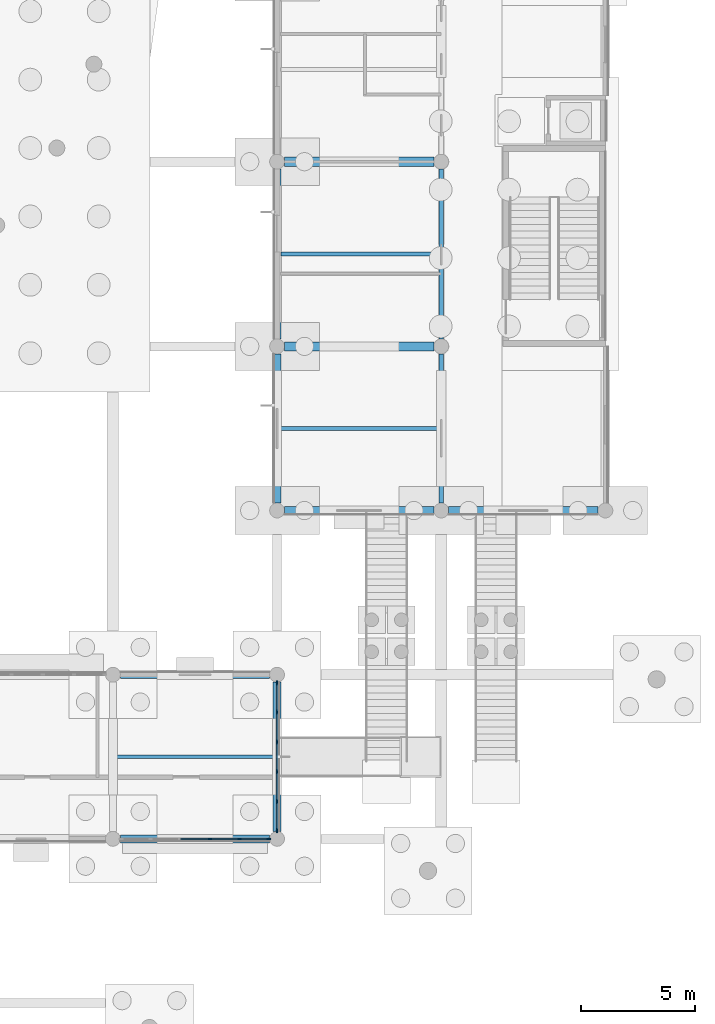
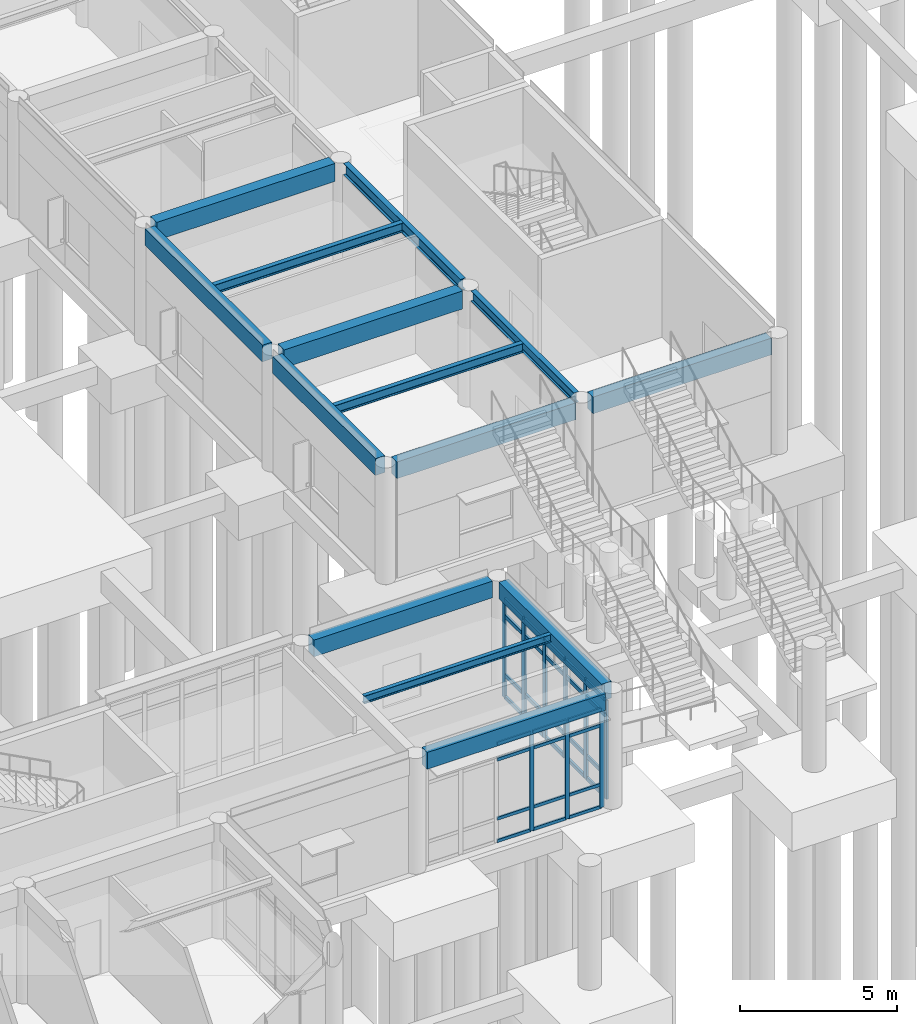
# One storey, part 36 of 103: 41 members, 14 beams, 2 elements without a shape of their own.
"""IFC4 building model written with IfcOpenShell, lengths in metres."""

from ifc_helpers import new_model, si_unit, direction, frame, origin, origin_2d, place, context, subcontext, project, spatial, rectangle, i_section, extrude, material, layer, layer_set, material_profile, profile_set, type_object, element, aggregate, save


model = new_model("IFC4")

# Units and contexts
model_context = context("Model", 3, precision=1e-05, world=origin(), true_north=direction((0.0, 1.0)))
body_context = subcontext(model_context, "Body", "Model", "MODEL_VIEW")
ifc_project = project(units=[si_unit("LENGTHUNIT", "METRE"), si_unit("AREAUNIT", "SQUARE_METRE"), si_unit("VOLUMEUNIT", "CUBIC_METRE"), si_unit("PLANEANGLEUNIT", "RADIAN"), si_unit("MASSUNIT", "GRAM", prefix="KILO")], contexts=[model_context])

# Site, building, storey
site_placement = place(None, origin())
site = spatial("IfcSite", under=ifc_project, at=site_placement, CompositionType="ELEMENT")
building_placement = place(site_placement, origin())
building = spatial("IfcBuilding", under=site, at=building_placement, Name="Namkhue Oval Health Centre", CompositionType="ELEMENT")
storey_placement = place(building_placement, origin())
storey = spatial("IfcBuildingStorey", under=building, at=storey_placement, Name="L00", CompositionType="ELEMENT", Elevation=0.0)

# Curtain wall, members
ifc_material_1 = material(Name="Anodised aluminium EN AW-6063 T6", Category="aluminium")
ifc_layer_1 = layer(ifc_material_1, 0.159912109375)
ifc_layer_set_1 = layer_set([ifc_layer_1], Name="Anodised aluminium EN AW-6063 T6")
curtain_wall_type_1 = type_object("IfcCurtainWallType", Name="UNITISED CURTAIN WALL M1200", PredefinedType="NOTDEFINED", material=ifc_layer_set_1)
curtain_wall_1_placement = place(storey_placement, origin())
curtain_wall_1 = element("IfcCurtainWall", 1, at=curtain_wall_1_placement, inside=storey, type_object=curtain_wall_type_1, Name="Volume V5 L00 Unitised Curtain Wall 181", PredefinedType="NOTDEFINED")
ifc_material_profile_1 = material_profile(ifc_material_1, rectangle(XDim=0.06494140625, YDim=0.159912109375, at=origin_2d()), Name="ALU 65x160")
ifc_profile_set_1 = profile_set([ifc_material_profile_1], Name="Anodised aluminium EN AW-6063 T6")
member_type_1 = type_object("IfcMemberType", Name="CURTAIN WALL MULLION 65X160", PredefinedType="MULLION", material=ifc_profile_set_1)
member_1_placement = place(storey_placement, frame((133.85302734375, 21.60009765625, 0.0), z_axis=(0.0, 0.0, 1.0), x_axis=(0.0, 1.0, 0.0)))
member_1 = element("IfcMember", 2, at=member_1_placement, type_object=member_type_1, Name="CW-01 mullion 4", PredefinedType="MULLION", context=body_context, shape_type="SweptSolid", body=[
    extrude(rectangle(XDim=0.06494140625, YDim=0.159912109375, at=origin_2d()), origin(), (0.0, 0.0, 1.0), 3.844970703125),
])
member_2_placement = place(storey_placement, frame((135.158935546875, 21.60009765625, 0.0), z_axis=(0.0, 0.0, 1.0), x_axis=(0.0, 1.0, 0.0)))
member_2 = element("IfcMember", 3, at=member_2_placement, type_object=member_type_1, Name="CW-01 mullion 5", PredefinedType="MULLION", context=body_context, shape_type="SweptSolid", body=[
    extrude(rectangle(XDim=0.06494140625, YDim=0.159912109375, at=origin_2d()), origin(), (0.0, 0.0, 1.0), 3.844970703125),
])
member_3_placement = place(storey_placement, frame((136.4326171875, 21.60009765625, 0.0), z_axis=(0.0, 0.0, 1.0), x_axis=(0.0, 1.0, 0.0)))
member_3 = element("IfcMember", 4, at=member_3_placement, type_object=member_type_1, Name="CW-01 mullion 6", PredefinedType="MULLION", context=body_context, shape_type="SweptSolid", body=[
    extrude(rectangle(XDim=0.06494140625, YDim=0.159912109375, at=origin_2d()), origin(), (0.0, 0.0, 1.0), 3.844970703125),
])

ifc_layer_2 = layer(ifc_material_1, 0.159912109375)
ifc_layer_set_2 = layer_set([ifc_layer_2], Name="Anodised aluminium EN AW-6063 T6")
curtain_wall_type_2 = type_object("IfcCurtainWallType", Name="UNITISED CURTAIN WALL M1350", PredefinedType="NOTDEFINED", material=ifc_layer_set_2)
curtain_wall_2_placement = place(storey_placement, origin())
curtain_wall_2 = element("IfcCurtainWall", 5, at=curtain_wall_2_placement, inside=storey, type_object=curtain_wall_type_2, Name="Volume V5 L00 Unitised Curtain Wall 182", PredefinedType="NOTDEFINED")
ifc_material_profile_2 = material_profile(ifc_material_1, rectangle(XDim=0.074951171875, YDim=0.199951171875, at=origin_2d()), Name="ALU 75x200")
ifc_profile_set_2 = profile_set([ifc_material_profile_2], Name="Anodised aluminium EN AW-6063 T6")
member_type_2 = type_object("IfcMemberType", Name="CURTAIN WALL MULLION 75X200", PredefinedType="MULLION", material=ifc_profile_set_2)
member_4_placement = place(storey_placement, frame((136.800048828125, 21.972412109375, 0.0), z_axis=(0.0, 0.0, 1.0), x_axis=(-1.0, 0.0, 0.0)))
member_4 = element("IfcMember", 6, at=member_4_placement, type_object=member_type_2, Name="CW-02 mullion 1", PredefinedType="MULLION", context=body_context, shape_type="SweptSolid", body=[
    extrude(rectangle(XDim=0.074951171875, YDim=0.199951171875, at=origin_2d()), origin(), (0.0, 0.0, 1.0), 3.844970703125),
])
member_5_placement = place(storey_placement, frame((136.800048828125, 23.240966796875, 0.0), z_axis=(0.0, 0.0, 1.0), x_axis=(-1.0, 0.0, 0.0)))
member_5 = element("IfcMember", 7, at=member_5_placement, type_object=member_type_2, Name="CW-02 mullion 2", PredefinedType="MULLION", context=body_context, shape_type="SweptSolid", body=[
    extrude(rectangle(XDim=0.074951171875, YDim=0.199951171875, at=origin_2d()), origin(), (0.0, 0.0, 1.0), 3.844970703125),
])
member_6_placement = place(storey_placement, frame((136.800048828125, 24.547119140625, 0.0), z_axis=(0.0, 0.0, 1.0), x_axis=(-1.0, 0.0, 0.0)))
member_6 = element("IfcMember", 8, at=member_6_placement, type_object=member_type_2, Name="CW-02 mullion 3", PredefinedType="MULLION", context=body_context, shape_type="SweptSolid", body=[
    extrude(rectangle(XDim=0.074951171875, YDim=0.199951171875, at=origin_2d()), origin(), (0.0, 0.0, 1.0), 3.844970703125),
])
member_7_placement = place(storey_placement, frame((136.800048828125, 25.85302734375, 0.0), z_axis=(0.0, 0.0, 1.0), x_axis=(-1.0, 0.0, 0.0)))
member_7 = element("IfcMember", 9, at=member_7_placement, type_object=member_type_2, Name="CW-02 mullion 4", PredefinedType="MULLION", context=body_context, shape_type="SweptSolid", body=[
    extrude(rectangle(XDim=0.074951171875, YDim=0.199951171875, at=origin_2d()), origin(), (0.0, 0.0, 1.0), 3.844970703125),
])
member_8_placement = place(storey_placement, frame((136.800048828125, 27.158935546875, 0.0), z_axis=(0.0, 0.0, 1.0), x_axis=(-1.0, 0.0, 0.0)))
member_8 = element("IfcMember", 10, at=member_8_placement, type_object=member_type_2, Name="CW-02 mullion 5", PredefinedType="MULLION", context=body_context, shape_type="SweptSolid", body=[
    extrude(rectangle(XDim=0.074951171875, YDim=0.199951171875, at=origin_2d()), origin(), (0.0, 0.0, 1.0), 3.844970703125),
])
member_9_placement = place(storey_placement, frame((136.800048828125, 28.427490234375, 0.0), z_axis=(0.0, 0.0, 1.0), x_axis=(-1.0, 0.0, 0.0)))
member_9 = element("IfcMember", 11, at=member_9_placement, type_object=member_type_2, Name="CW-02 mullion 6", PredefinedType="MULLION", context=body_context, shape_type="SweptSolid", body=[
    extrude(rectangle(XDim=0.074951171875, YDim=0.199951171875, at=origin_2d()), origin(), (0.0, 0.0, 1.0), 3.844970703125),
])

# Member
ifc_material_profile_3 = material_profile(ifc_material_1, rectangle(XDim=0.06494140625, YDim=0.1201171875, at=origin_2d()), Name="ALU 65x120")
ifc_profile_set_3 = profile_set([ifc_material_profile_3], Name="Anodised aluminium EN AW-6063 T6")
member_type_3 = type_object("IfcMemberType", Name="CURTAIN WALL TRANSOM 65X120", PredefinedType="USERDEFINED", material=ifc_profile_set_3)
member_10_placement = place(storey_placement, frame((132.57958984375, 21.60009765625, 0.032470703125), z_axis=(1.0, 0.0, 0.0), x_axis=(0.0, 1.0, 0.0)))
member_10 = element("IfcMember", 12, at=member_10_placement, type_object=member_type_3, Name="CW-01 transom 3.1", ObjectType="TRANSOM", PredefinedType="USERDEFINED", context=body_context, shape_type="SweptSolid", body=[
    extrude(rectangle(XDim=0.06494140625, YDim=0.1201171875, at=origin_2d()), origin(), (0.0, 0.0, 1.0), 1.240966796875),
])

member_11_placement = place(storey_placement, frame((132.57958984375, 21.60009765625, 0.89990234375), z_axis=(1.0, 0.0, 0.0), x_axis=(0.0, 1.0, 0.0)))
member_11 = element("IfcMember", 13, at=member_11_placement, type_object=member_type_3, Name="CW-01 transom 3.2", ObjectType="TRANSOM", PredefinedType="USERDEFINED", context=body_context, shape_type="SweptSolid", body=[
    extrude(rectangle(XDim=0.06494140625, YDim=0.1201171875, at=origin_2d()), origin(), (0.0, 0.0, 1.0), 1.240966796875),
])

member_12_placement = place(storey_placement, frame((132.57958984375, 21.60009765625, 3.195068359375), z_axis=(1.0, 0.0, 0.0), x_axis=(0.0, 1.0, 0.0)))
member_12 = element("IfcMember", 14, at=member_12_placement, type_object=member_type_3, Name="CW-01 transom 3.3", ObjectType="TRANSOM", PredefinedType="USERDEFINED", context=body_context, shape_type="SweptSolid", body=[
    extrude(rectangle(XDim=0.06494140625, YDim=0.1201171875, at=origin_2d()), origin(), (0.0, 0.0, 1.0), 1.240966796875),
])

member_13_placement = place(storey_placement, frame((132.57958984375, 21.60009765625, 3.8125), z_axis=(1.0, 0.0, 0.0), x_axis=(0.0, 1.0, 0.0)))
member_13 = element("IfcMember", 15, at=member_13_placement, type_object=member_type_3, Name="CW-01 transom 3.4", ObjectType="TRANSOM", PredefinedType="USERDEFINED", context=body_context, shape_type="SweptSolid", body=[
    extrude(rectangle(XDim=0.06494140625, YDim=0.1201171875, at=origin_2d()), origin(), (0.0, 0.0, 1.0), 1.240966796875),
])

member_14_placement = place(storey_placement, frame((133.885498046875, 21.60009765625, 0.032470703125), z_axis=(1.0, 0.0, 0.0), x_axis=(0.0, 1.0, 0.0)))
member_14 = element("IfcMember", 16, at=member_14_placement, type_object=member_type_3, Name="CW-01 transom 4.1", ObjectType="TRANSOM", PredefinedType="USERDEFINED", context=body_context, shape_type="SweptSolid", body=[
    extrude(rectangle(XDim=0.06494140625, YDim=0.1201171875, at=origin_2d()), origin(), (0.0, 0.0, 1.0), 1.240966796875),
])

member_15_placement = place(storey_placement, frame((133.885498046875, 21.60009765625, 0.89990234375), z_axis=(1.0, 0.0, 0.0), x_axis=(0.0, 1.0, 0.0)))
member_15 = element("IfcMember", 17, at=member_15_placement, type_object=member_type_3, Name="CW-01 transom 4.2", ObjectType="TRANSOM", PredefinedType="USERDEFINED", context=body_context, shape_type="SweptSolid", body=[
    extrude(rectangle(XDim=0.06494140625, YDim=0.1201171875, at=origin_2d()), origin(), (0.0, 0.0, 1.0), 1.240966796875),
])

member_16_placement = place(storey_placement, frame((133.885498046875, 21.60009765625, 3.195068359375), z_axis=(1.0, 0.0, 0.0), x_axis=(0.0, 1.0, 0.0)))
member_16 = element("IfcMember", 18, at=member_16_placement, type_object=member_type_3, Name="CW-01 transom 4.3", ObjectType="TRANSOM", PredefinedType="USERDEFINED", context=body_context, shape_type="SweptSolid", body=[
    extrude(rectangle(XDim=0.06494140625, YDim=0.1201171875, at=origin_2d()), origin(), (0.0, 0.0, 1.0), 1.240966796875),
])

member_17_placement = place(storey_placement, frame((133.885498046875, 21.60009765625, 3.8125), z_axis=(1.0, 0.0, 0.0), x_axis=(0.0, 1.0, 0.0)))
member_17 = element("IfcMember", 19, at=member_17_placement, type_object=member_type_3, Name="CW-01 transom 4.4", ObjectType="TRANSOM", PredefinedType="USERDEFINED", context=body_context, shape_type="SweptSolid", body=[
    extrude(rectangle(XDim=0.06494140625, YDim=0.1201171875, at=origin_2d()), origin(), (0.0, 0.0, 1.0), 1.240966796875),
])

member_18_placement = place(storey_placement, frame((135.19140625, 21.60009765625, 0.032470703125), z_axis=(1.0, 0.0, 0.0), x_axis=(0.0, 1.0, 0.0)))
member_18 = element("IfcMember", 20, at=member_18_placement, type_object=member_type_3, Name="CW-01 transom 5.1", ObjectType="TRANSOM", PredefinedType="USERDEFINED", context=body_context, shape_type="SweptSolid", body=[
    extrude(rectangle(XDim=0.06494140625, YDim=0.1201171875, at=origin_2d()), origin(), (0.0, 0.0, 1.0), 1.20849609375),
])

member_19_placement = place(storey_placement, frame((135.19140625, 21.60009765625, 0.89990234375), z_axis=(1.0, 0.0, 0.0), x_axis=(0.0, 1.0, 0.0)))
member_19 = element("IfcMember", 21, at=member_19_placement, type_object=member_type_3, Name="CW-01 transom 5.2", ObjectType="TRANSOM", PredefinedType="USERDEFINED", context=body_context, shape_type="SweptSolid", body=[
    extrude(rectangle(XDim=0.06494140625, YDim=0.1201171875, at=origin_2d()), origin(), (0.0, 0.0, 1.0), 1.20849609375),
])

member_20_placement = place(storey_placement, frame((135.19140625, 21.60009765625, 3.195068359375), z_axis=(1.0, 0.0, 0.0), x_axis=(0.0, 1.0, 0.0)))
member_20 = element("IfcMember", 22, at=member_20_placement, type_object=member_type_3, Name="CW-01 transom 5.3", ObjectType="TRANSOM", PredefinedType="USERDEFINED", context=body_context, shape_type="SweptSolid", body=[
    extrude(rectangle(XDim=0.06494140625, YDim=0.1201171875, at=origin_2d()), origin(), (0.0, 0.0, 1.0), 1.20849609375),
])

member_21_placement = place(storey_placement, frame((135.19140625, 21.60009765625, 3.8125), z_axis=(1.0, 0.0, 0.0), x_axis=(0.0, 1.0, 0.0)))
member_21 = element("IfcMember", 23, at=member_21_placement, type_object=member_type_3, Name="CW-01 transom 5.4", ObjectType="TRANSOM", PredefinedType="USERDEFINED", context=body_context, shape_type="SweptSolid", body=[
    extrude(rectangle(XDim=0.06494140625, YDim=0.1201171875, at=origin_2d()), origin(), (0.0, 0.0, 1.0), 1.20849609375),
])

aggregate(curtain_wall_1, [member_1, member_2, member_3, member_10, member_11, member_12, member_13, member_14, member_15, member_16, member_17, member_18, member_19, member_20, member_21])

ifc_material_profile_4 = material_profile(ifc_material_1, rectangle(XDim=0.074951171875, YDim=0.14990234375, at=origin_2d()), Name="ALU 75x150")
ifc_profile_set_4 = profile_set([ifc_material_profile_4], Name="Anodised aluminium EN AW-6063 T6")
member_type_4 = type_object("IfcMemberType", Name="CURTAIN WALL TRANSOM 75X150", PredefinedType="USERDEFINED", material=ifc_profile_set_4)
member_22_placement = place(storey_placement, frame((136.800048828125, 22.010009765625, 0.03759765625), z_axis=(0.0, 1.0, 0.0), x_axis=(-1.0, 0.0, 0.0)))
member_22 = element("IfcMember", 24, at=member_22_placement, type_object=member_type_4, Name="CW-02 transom 1.1", ObjectType="TRANSOM", PredefinedType="USERDEFINED", context=body_context, shape_type="SweptSolid", body=[
    extrude(rectangle(XDim=0.074951171875, YDim=0.14990234375, at=origin_2d()), origin(), (0.0, 0.0, 1.0), 1.193603515625),
])

member_23_placement = place(storey_placement, frame((136.800048828125, 22.010009765625, 0.89990234375), z_axis=(0.0, 1.0, 0.0), x_axis=(-1.0, 0.0, 0.0)))
member_23 = element("IfcMember", 25, at=member_23_placement, type_object=member_type_4, Name="CW-02 transom 1.2", ObjectType="TRANSOM", PredefinedType="USERDEFINED", context=body_context, shape_type="SweptSolid", body=[
    extrude(rectangle(XDim=0.074951171875, YDim=0.14990234375, at=origin_2d()), origin(), (0.0, 0.0, 1.0), 1.193603515625),
])

member_24_placement = place(storey_placement, frame((136.800048828125, 22.010009765625, 3.195068359375), z_axis=(0.0, 1.0, 0.0), x_axis=(-1.0, 0.0, 0.0)))
member_24 = element("IfcMember", 26, at=member_24_placement, type_object=member_type_4, Name="CW-02 transom 1.3", ObjectType="TRANSOM", PredefinedType="USERDEFINED", context=body_context, shape_type="SweptSolid", body=[
    extrude(rectangle(XDim=0.074951171875, YDim=0.14990234375, at=origin_2d()), origin(), (0.0, 0.0, 1.0), 1.193603515625),
])

member_25_placement = place(storey_placement, frame((136.800048828125, 22.010009765625, 3.8076171875), z_axis=(0.0, 1.0, 0.0), x_axis=(-1.0, 0.0, 0.0)))
member_25 = element("IfcMember", 27, at=member_25_placement, type_object=member_type_4, Name="CW-02 transom 1.4", ObjectType="TRANSOM", PredefinedType="USERDEFINED", context=body_context, shape_type="SweptSolid", body=[
    extrude(rectangle(XDim=0.074951171875, YDim=0.14990234375, at=origin_2d()), origin(), (0.0, 0.0, 1.0), 1.193603515625),
])

member_26_placement = place(storey_placement, frame((136.800048828125, 23.278564453125, 0.03759765625), z_axis=(0.0, 1.0, 0.0), x_axis=(-1.0, 0.0, 0.0)))
member_26 = element("IfcMember", 28, at=member_26_placement, type_object=member_type_4, Name="CW-02 transom 2.1", ObjectType="TRANSOM", PredefinedType="USERDEFINED", context=body_context, shape_type="SweptSolid", body=[
    extrude(rectangle(XDim=0.074951171875, YDim=0.14990234375, at=origin_2d()), origin(), (0.0, 0.0, 1.0), 1.23095703125),
])

member_27_placement = place(storey_placement, frame((136.800048828125, 23.278564453125, 0.89990234375), z_axis=(0.0, 1.0, 0.0), x_axis=(-1.0, 0.0, 0.0)))
member_27 = element("IfcMember", 29, at=member_27_placement, type_object=member_type_4, Name="CW-02 transom 2.2", ObjectType="TRANSOM", PredefinedType="USERDEFINED", context=body_context, shape_type="SweptSolid", body=[
    extrude(rectangle(XDim=0.074951171875, YDim=0.14990234375, at=origin_2d()), origin(), (0.0, 0.0, 1.0), 1.23095703125),
])

member_28_placement = place(storey_placement, frame((136.800048828125, 23.278564453125, 3.195068359375), z_axis=(0.0, 1.0, 0.0), x_axis=(-1.0, 0.0, 0.0)))
member_28 = element("IfcMember", 30, at=member_28_placement, type_object=member_type_4, Name="CW-02 transom 2.3", ObjectType="TRANSOM", PredefinedType="USERDEFINED", context=body_context, shape_type="SweptSolid", body=[
    extrude(rectangle(XDim=0.074951171875, YDim=0.14990234375, at=origin_2d()), origin(), (0.0, 0.0, 1.0), 1.23095703125),
])

member_29_placement = place(storey_placement, frame((136.800048828125, 23.278564453125, 3.8076171875), z_axis=(0.0, 1.0, 0.0), x_axis=(-1.0, 0.0, 0.0)))
member_29 = element("IfcMember", 31, at=member_29_placement, type_object=member_type_4, Name="CW-02 transom 2.4", ObjectType="TRANSOM", PredefinedType="USERDEFINED", context=body_context, shape_type="SweptSolid", body=[
    extrude(rectangle(XDim=0.074951171875, YDim=0.14990234375, at=origin_2d()), origin(), (0.0, 0.0, 1.0), 1.23095703125),
])

member_30_placement = place(storey_placement, frame((136.800048828125, 24.58447265625, 0.03759765625), z_axis=(0.0, 1.0, 0.0), x_axis=(-1.0, 0.0, 0.0)))
member_30 = element("IfcMember", 32, at=member_30_placement, type_object=member_type_4, Name="CW-02 transom 3.1", ObjectType="TRANSOM", PredefinedType="USERDEFINED", context=body_context, shape_type="SweptSolid", body=[
    extrude(rectangle(XDim=0.074951171875, YDim=0.14990234375, at=origin_2d()), origin(), (0.0, 0.0, 1.0), 1.23095703125),
])

member_31_placement = place(storey_placement, frame((136.800048828125, 24.58447265625, 0.89990234375), z_axis=(0.0, 1.0, 0.0), x_axis=(-1.0, 0.0, 0.0)))
member_31 = element("IfcMember", 33, at=member_31_placement, type_object=member_type_4, Name="CW-02 transom 3.2", ObjectType="TRANSOM", PredefinedType="USERDEFINED", context=body_context, shape_type="SweptSolid", body=[
    extrude(rectangle(XDim=0.074951171875, YDim=0.14990234375, at=origin_2d()), origin(), (0.0, 0.0, 1.0), 1.23095703125),
])

member_32_placement = place(storey_placement, frame((136.800048828125, 24.58447265625, 3.195068359375), z_axis=(0.0, 1.0, 0.0), x_axis=(-1.0, 0.0, 0.0)))
member_32 = element("IfcMember", 34, at=member_32_placement, type_object=member_type_4, Name="CW-02 transom 3.3", ObjectType="TRANSOM", PredefinedType="USERDEFINED", context=body_context, shape_type="SweptSolid", body=[
    extrude(rectangle(XDim=0.074951171875, YDim=0.14990234375, at=origin_2d()), origin(), (0.0, 0.0, 1.0), 1.23095703125),
])

member_33_placement = place(storey_placement, frame((136.800048828125, 24.58447265625, 3.8076171875), z_axis=(0.0, 1.0, 0.0), x_axis=(-1.0, 0.0, 0.0)))
member_33 = element("IfcMember", 35, at=member_33_placement, type_object=member_type_4, Name="CW-02 transom 3.4", ObjectType="TRANSOM", PredefinedType="USERDEFINED", context=body_context, shape_type="SweptSolid", body=[
    extrude(rectangle(XDim=0.074951171875, YDim=0.14990234375, at=origin_2d()), origin(), (0.0, 0.0, 1.0), 1.23095703125),
])

member_34_placement = place(storey_placement, frame((136.800048828125, 25.890380859375, 0.03759765625), z_axis=(0.0, 1.0, 0.0), x_axis=(-1.0, 0.0, 0.0)))
member_34 = element("IfcMember", 36, at=member_34_placement, type_object=member_type_4, Name="CW-02 transom 4.1", ObjectType="TRANSOM", PredefinedType="USERDEFINED", context=body_context, shape_type="SweptSolid", body=[
    extrude(rectangle(XDim=0.074951171875, YDim=0.14990234375, at=origin_2d()), origin(), (0.0, 0.0, 1.0), 1.231201171875),
])

member_35_placement = place(storey_placement, frame((136.800048828125, 25.890380859375, 0.89990234375), z_axis=(0.0, 1.0, 0.0), x_axis=(-1.0, 0.0, 0.0)))
member_35 = element("IfcMember", 37, at=member_35_placement, type_object=member_type_4, Name="CW-02 transom 4.2", ObjectType="TRANSOM", PredefinedType="USERDEFINED", context=body_context, shape_type="SweptSolid", body=[
    extrude(rectangle(XDim=0.074951171875, YDim=0.14990234375, at=origin_2d()), origin(), (0.0, 0.0, 1.0), 1.231201171875),
])

member_36_placement = place(storey_placement, frame((136.800048828125, 25.890380859375, 3.195068359375), z_axis=(0.0, 1.0, 0.0), x_axis=(-1.0, 0.0, 0.0)))
member_36 = element("IfcMember", 38, at=member_36_placement, type_object=member_type_4, Name="CW-02 transom 4.3", ObjectType="TRANSOM", PredefinedType="USERDEFINED", context=body_context, shape_type="SweptSolid", body=[
    extrude(rectangle(XDim=0.074951171875, YDim=0.14990234375, at=origin_2d()), origin(), (0.0, 0.0, 1.0), 1.231201171875),
])

member_37_placement = place(storey_placement, frame((136.800048828125, 25.890380859375, 3.8076171875), z_axis=(0.0, 1.0, 0.0), x_axis=(-1.0, 0.0, 0.0)))
member_37 = element("IfcMember", 39, at=member_37_placement, type_object=member_type_4, Name="CW-02 transom 4.4", ObjectType="TRANSOM", PredefinedType="USERDEFINED", context=body_context, shape_type="SweptSolid", body=[
    extrude(rectangle(XDim=0.074951171875, YDim=0.14990234375, at=origin_2d()), origin(), (0.0, 0.0, 1.0), 1.231201171875),
])

member_38_placement = place(storey_placement, frame((136.800048828125, 27.196533203125, 0.03759765625), z_axis=(0.0, 1.0, 0.0), x_axis=(-1.0, 0.0, 0.0)))
member_38 = element("IfcMember", 40, at=member_38_placement, type_object=member_type_4, Name="CW-02 transom 5.1", ObjectType="TRANSOM", PredefinedType="USERDEFINED", context=body_context, shape_type="SweptSolid", body=[
    extrude(rectangle(XDim=0.074951171875, YDim=0.14990234375, at=origin_2d()), origin(), (0.0, 0.0, 1.0), 1.193359375),
])

member_39_placement = place(storey_placement, frame((136.800048828125, 27.196533203125, 0.89990234375), z_axis=(0.0, 1.0, 0.0), x_axis=(-1.0, 0.0, 0.0)))
member_39 = element("IfcMember", 41, at=member_39_placement, type_object=member_type_4, Name="CW-02 transom 5.2", ObjectType="TRANSOM", PredefinedType="USERDEFINED", context=body_context, shape_type="SweptSolid", body=[
    extrude(rectangle(XDim=0.074951171875, YDim=0.14990234375, at=origin_2d()), origin(), (0.0, 0.0, 1.0), 1.193359375),
])

member_40_placement = place(storey_placement, frame((136.800048828125, 27.196533203125, 3.195068359375), z_axis=(0.0, 1.0, 0.0), x_axis=(-1.0, 0.0, 0.0)))
member_40 = element("IfcMember", 42, at=member_40_placement, type_object=member_type_4, Name="CW-02 transom 5.3", ObjectType="TRANSOM", PredefinedType="USERDEFINED", context=body_context, shape_type="SweptSolid", body=[
    extrude(rectangle(XDim=0.074951171875, YDim=0.14990234375, at=origin_2d()), origin(), (0.0, 0.0, 1.0), 1.193359375),
])

member_41_placement = place(storey_placement, frame((136.800048828125, 27.196533203125, 3.8076171875), z_axis=(0.0, 1.0, 0.0), x_axis=(-1.0, 0.0, 0.0)))
member_41 = element("IfcMember", 43, at=member_41_placement, type_object=member_type_4, Name="CW-02 transom 5.4", ObjectType="TRANSOM", PredefinedType="USERDEFINED", context=body_context, shape_type="SweptSolid", body=[
    extrude(rectangle(XDim=0.074951171875, YDim=0.14990234375, at=origin_2d()), origin(), (0.0, 0.0, 1.0), 1.193359375),
])

aggregate(curtain_wall_2, [member_4, member_5, member_6, member_7, member_8, member_9, member_22, member_23, member_24, member_25, member_26, member_27, member_28, member_29, member_30, member_31, member_32, member_33, member_34, member_35, member_36, member_37, member_38, member_39, member_40, member_41])

# Beams
ifc_material_2 = material(Name="Structural steel EN 10025-2 S355JR (TCVN 5575:2024)", Category="steel")
ifc_material_profile_5 = material_profile(ifc_material_2, i_section(OverallWidth=0.179931640625, OverallDepth=0.39990234375, WebThickness=0.008544921875, FlangeThickness=0.013427734375, FilletRadius=0.02099609375, at=origin_2d()), Name="IPE 400")
ifc_profile_set_5 = profile_set([ifc_material_profile_5], Name="Structural steel EN 10025-2 S355JR (TCVN 5575:2024)")
beam_type_1 = type_object("IfcBeamType", Name="FLOOR BEAM STEEL IPE 400", PredefinedType="BEAM", material=ifc_profile_set_5)
beam_1_placement = place(storey_placement, frame((144.0, 36.324951171875, 4.322021484375), z_axis=(0.0, 1.0, 0.0), x_axis=(-1.0, 0.0, 0.0)))
element("IfcBeam", 44, at=beam_1_placement, inside=storey, type_object=beam_type_1, Name="Volume V6 L01 Beam 21/F-G", PredefinedType="BEAM", context=body_context, shape_type="SweptSolid", body=[
    extrude(i_section(OverallWidth=0.179931640625, OverallDepth=0.39990234375, WebThickness=0.008544921875, FlangeThickness=0.013427734375, FilletRadius=0.02099609375, at=origin_2d()), origin(), (0.0, 0.0, 1.0), 6.550048828125),
])
ifc_material_profile_6 = material_profile(ifc_material_2, i_section(OverallWidth=0.18994140625, OverallDepth=0.449951171875, WebThickness=0.009521484375, FlangeThickness=0.0146484375, FilletRadius=0.02099609375, at=origin_2d()), Name="IPE 450")
ifc_profile_set_6 = profile_set([ifc_material_profile_6], Name="Structural steel EN 10025-2 S355JR (TCVN 5575:2024)")
beam_type_2 = type_object("IfcBeamType", Name="FLOOR BEAM STEEL IPE 450", PredefinedType="BEAM", material=ifc_profile_set_6)
beam_2_placement = place(storey_placement, frame((144.0, 43.52490234375, 4.340087890625), z_axis=(0.0, 1.0, 0.0), x_axis=(-1.0, 0.0, 0.0)))
element("IfcBeam", 45, at=beam_2_placement, inside=storey, type_object=beam_type_2, Name="Volume V6 L01 Beam 21/G-H", PredefinedType="BEAM", context=body_context, shape_type="SweptSolid", body=[
    extrude(i_section(OverallWidth=0.18994140625, OverallDepth=0.449951171875, WebThickness=0.009521484375, FlangeThickness=0.0146484375, FilletRadius=0.02099609375, at=origin_2d()), origin(), (0.0, 0.0, 1.0), 7.4501953125),
])
ifc_material_3 = material(Name="Reinforced concrete C35/45 (TCVN B40)", Category="concrete")
ifc_material_profile_7 = material_profile(ifc_material_3, rectangle(XDim=0.35009765625, YDim=0.64990234375, at=origin_2d()), Name="RC 350x650")
ifc_profile_set_7 = profile_set([ifc_material_profile_7], Name="Reinforced concrete C35/45 (TCVN B40)")
beam_type_3 = type_object("IfcBeamType", Name="PERIMETER SPANDREL BEAM 350X650", PredefinedType="SPANDREL", material=ifc_profile_set_7)
for number, where, z_axis, x_axis, name in (
    (46, (129.925048828125, 21.60009765625, 4.169921875), (1.0, 0.0, 0.0), (0.0, 1.0, 0.0), "Volume V5 L01 Girder D/19-20"),
    (47, (129.925048828125, 28.800048828125, 4.169921875), (1.0, 0.0, 0.0), (0.0, 1.0, 0.0), "Volume V5 L01 Girder E/19-20"),
    (48, (136.800048828125, 21.925048828125, 4.169921875), (0.0, 1.0, 0.0), (-1.0, 0.0, 0.0), "Volume V5 L01 Beam 20/D-E"),
    (49, (137.125, 36.0, 4.197021484375), (1.0, 0.0, 0.0), (0.0, 1.0, 0.0), "Volume V6 L01 Girder F/20-21"),
    (50, (144.324951171875, 36.0, 4.197021484375), (1.0, 0.0, 0.0), (0.0, 1.0, 0.0), "Volume V6 L01 Girder F/21-22"),
    (51, (136.800048828125, 36.324951171875, 4.197021484375), (0.0, 1.0, 0.0), (-1.0, 0.0, 0.0), "Volume V6 L01 Beam 20/F-G"),
):
    element("IfcBeam", number, at=place(storey_placement, frame(where, z_axis=z_axis, x_axis=x_axis)), inside=storey, type_object=beam_type_3, Name=name, PredefinedType="SPANDREL", context=body_context, shape_type="SweptSolid", body=[
        extrude(rectangle(XDim=0.35009765625, YDim=0.64990234375, at=origin_2d()), origin(), (0.0, 0.0, 1.0), 6.550048828125),
    ])
beam_3_placement = place(storey_placement, frame((136.800048828125, 43.52490234375, 4.239990234375), z_axis=(0.0, 1.0, 0.0), x_axis=(-1.0, 0.0, 0.0)))
element("IfcBeam", 52, at=beam_3_placement, inside=storey, type_object=beam_type_3, Name="Volume V6 L01 Beam 20/G-H", PredefinedType="SPANDREL", context=body_context, shape_type="SweptSolid", body=[
    extrude(rectangle(XDim=0.35009765625, YDim=0.64990234375, at=origin_2d()), origin(), (0.0, 0.0, 1.0), 7.4501953125),
])
ifc_material_profile_8 = material_profile(ifc_material_3, rectangle(XDim=0.39990234375, YDim=0.699951171875, at=origin_2d()), Name="RC 400x700")
ifc_profile_set_8 = profile_set([ifc_material_profile_8], Name="Reinforced concrete C35/45 (TCVN B40)")
beam_type_4 = type_object("IfcBeamType", Name="PRIMARY GIRDER RC 400X700", PredefinedType="USERDEFINED", material=ifc_profile_set_8)
for number, where, z_axis, x_axis, name in (
    (53, (137.125, 43.199951171875, 4.172119140625), (1.0, 0.0, 0.0), (0.0, 1.0, 0.0), "Volume V6 L01 Girder G/20-21"),
    (54, (137.125, 51.300048828125, 4.215087890625), (1.0, 0.0, 0.0), (0.0, 1.0, 0.0), "Volume V6 L01 Girder H/20-21"),
):
    element("IfcBeam", number, at=place(storey_placement, frame(where, z_axis=z_axis, x_axis=x_axis)), inside=storey, type_object=beam_type_4, Name=name, ObjectType="GIRDER", PredefinedType="USERDEFINED", context=body_context, shape_type="SweptSolid", body=[
        extrude(rectangle(XDim=0.39990234375, YDim=0.699951171875, at=origin_2d()), origin(), (0.0, 0.0, 1.0), 6.550048828125),
    ])
ifc_material_profile_9 = material_profile(ifc_material_2, i_section(OverallWidth=0.14990234375, OverallDepth=0.300048828125, WebThickness=0.007080078125, FlangeThickness=0.0107421875, FilletRadius=0.014892578125, at=origin_2d()), Name="IPE 300")
ifc_profile_set_9 = profile_set([ifc_material_profile_9], Name="Structural steel EN 10025-2 S355JR (TCVN 5575:2024)")
beam_type_5 = type_object("IfcBeamType", Name="SECONDARY JOIST STEEL IPE 300", PredefinedType="JOIST", material=ifc_profile_set_9)
beam_4_placement = place(storey_placement, frame((129.75, 25.199951171875, 4.344970703125), z_axis=(1.0, 0.0, 0.0), x_axis=(0.0, 1.0, 0.0)))
element("IfcBeam", 55, at=beam_4_placement, inside=storey, type_object=beam_type_5, Name="Volume V5 L01 Secondary Joist 19-20", PredefinedType="JOIST", context=body_context, shape_type="SweptSolid", body=[
    extrude(i_section(OverallWidth=0.14990234375, OverallDepth=0.300048828125, WebThickness=0.007080078125, FlangeThickness=0.0107421875, FilletRadius=0.014892578125, at=origin_2d()), origin(), (0.0, 0.0, 1.0), 6.875),
])
ifc_material_profile_10 = material_profile(ifc_material_2, i_section(OverallWidth=0.169921875, OverallDepth=0.360107421875, WebThickness=0.008056640625, FlangeThickness=0.0126953125, FilletRadius=0.01806640625, at=origin_2d()), Name="IPE 360")
ifc_profile_set_10 = profile_set([ifc_material_profile_10], Name="Structural steel EN 10025-2 S355JR (TCVN 5575:2024)")
beam_type_6 = type_object("IfcBeamType", Name="SECONDARY JOIST STEEL IPE 360", PredefinedType="JOIST", material=ifc_profile_set_10)
beam_5_placement = place(storey_placement, frame((136.97509765625, 39.60009765625, 4.342041015625), z_axis=(1.0, 0.0, 0.0), x_axis=(0.0, 1.0, 0.0)))
element("IfcBeam", 56, at=beam_5_placement, inside=storey, type_object=beam_type_6, Name="Volume V6 L01 Secondary Joist 20-21", PredefinedType="JOIST", context=body_context, shape_type="SweptSolid", body=[
    extrude(i_section(OverallWidth=0.169921875, OverallDepth=0.360107421875, WebThickness=0.008056640625, FlangeThickness=0.0126953125, FilletRadius=0.01806640625, at=origin_2d()), origin(), (0.0, 0.0, 1.0), 6.934814453125),
])
beam_6_placement = place(storey_placement, frame((136.97509765625, 47.25, 4.385009765625), z_axis=(1.0, 0.0, 0.0), x_axis=(0.0, 1.0, 0.0)))
element("IfcBeam", 57, at=beam_6_placement, inside=storey, type_object=beam_type_6, Name="Volume V6 L01 Secondary Joist 20-21", PredefinedType="JOIST", context=body_context, shape_type="SweptSolid", body=[
    extrude(i_section(OverallWidth=0.169921875, OverallDepth=0.360107421875, WebThickness=0.008056640625, FlangeThickness=0.0126953125, FilletRadius=0.01806640625, at=origin_2d()), origin(), (0.0, 0.0, 1.0), 6.929931640625),
])

save(model, "model.ifc")
